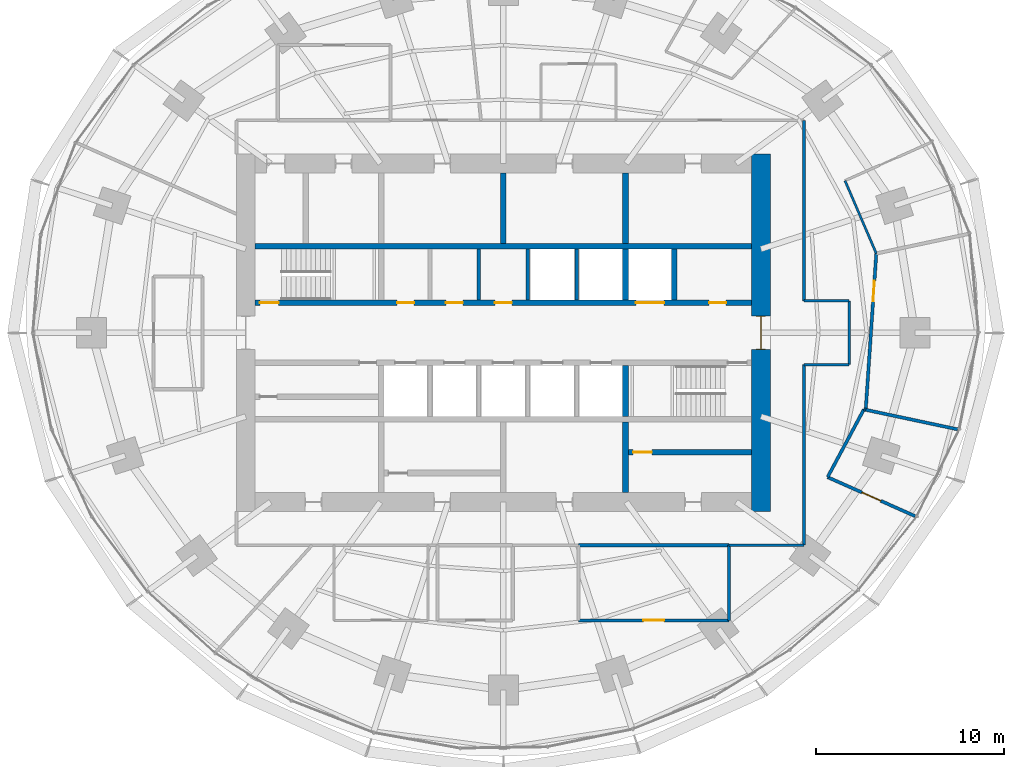
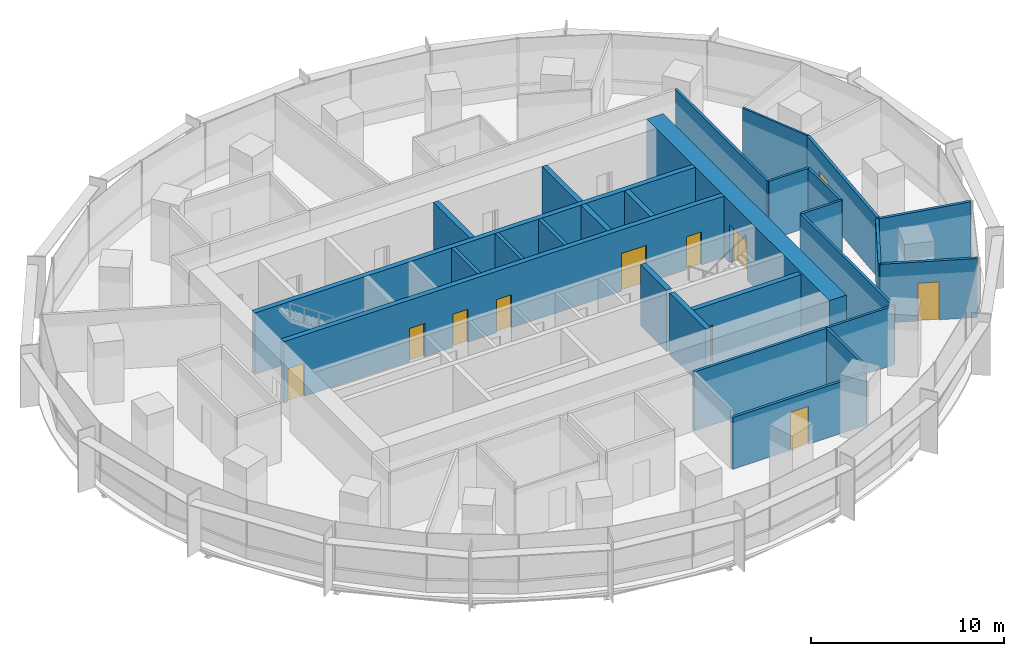
# One storey, part 11 of 14: 28 walls, 11 doors, 11 openings.
"""IFC4 building model written with IfcOpenShell, lengths in metres."""

from ifc_helpers import new_model, si_unit, direction, frame, frame_2d, origin, place, context, subcontext, project, spatial, rectangle, extrude, material, layer, layer_set, type_object, element, fill, save


model = new_model("IFC4")

# Units and contexts
model_context = context("Model", 3, precision=1e-05, world=origin(), true_north=direction((0.0, 1.0)))
body_context = subcontext(model_context, "Body", "Model", "MODEL_VIEW")
ifc_project = project(units=[si_unit("LENGTHUNIT", "METRE"), si_unit("AREAUNIT", "SQUARE_METRE"), si_unit("VOLUMEUNIT", "CUBIC_METRE"), si_unit("PLANEANGLEUNIT", "RADIAN"), si_unit("MASSUNIT", "GRAM", prefix="KILO")], contexts=[model_context])

# Site, building, storey
site_placement = place(None, origin())
site = spatial("IfcSite", under=ifc_project, at=site_placement, CompositionType="ELEMENT")
building_placement = place(site_placement, origin())
building = spatial("IfcBuilding", under=site, at=building_placement, Name="Marramba Exchange Tower", CompositionType="ELEMENT")
storey_placement = place(building_placement, frame((0.0, 0.0, 127.5)))
storey = spatial("IfcBuildingStorey", under=building, at=storey_placement, Name="L30", CompositionType="ELEMENT", Elevation=127.5)

# Wall, opening, door
ifc_material_1 = material(Name="Plasterboard on staggered double steel studs, acoustic insulation", Category="steel")
ifc_layer_1 = layer(ifc_material_1, 0.169921875)
ifc_layer_set_1 = layer_set([ifc_layer_1], Name="Acoustic partition 170")
wall_type_1 = type_object("IfcWallType", Name="Acoustic partition 170", PredefinedType="PARTITIONING", material=ifc_layer_set_1)
wall_1_placement = place(storey_placement, frame((4.0, -15.300048828125, 0.0), z_axis=(0.0, 0.0, 1.0), x_axis=(1.0, 0.0, 0.0)))
wall_1 = element("IfcWall", 1, at=wall_1_placement, inside=storey, type_object=wall_type_1, Name="Acoustic partition L30 14", PredefinedType="PARTITIONING", context=body_context, shape_type="SweptSolid", body=[
    extrude(rectangle(XDim=8.0, YDim=0.169921875, at=frame_2d((4.0, 0.0))), origin(), (0.0, 0.0, 1.0), 3.285888671875),
])
opening_1_placement = place(wall_1_placement, frame((3.449951171875, 0.0, 0.0)))
opening_1 = element("IfcOpeningElement", 2, at=opening_1_placement, cuts=wall_1, Name="Opening D15", PredefinedType="OPENING", context=body_context, shape_type="SweptSolid", body=[
    extrude(rectangle(XDim=1.10009765625, YDim=2.39990234375, at=frame_2d((0.550048828125, 1.199951171875))), frame((0.0, 0.094970703125, 0.0), z_axis=(0.0, -1.0, 0.0), x_axis=(1.0, 0.0, 0.0)), (0.0, 0.0, 1.0), 0.18994140625),
])
ifc_material_2 = material(Name="Timber door", Category="wood")
door_type_1 = type_object("IfcDoorType", Name="Glazed meeting room door 1100x2400", OperationType="SINGLE_SWING_LEFT", PredefinedType="DOOR", material=ifc_material_2)
door_1_placement = place(opening_1_placement, origin())
door_1 = element("IfcDoor", 3, at=door_1_placement, inside=storey, type_object=door_type_1, Name="D15 Meeting Room 3 L30", OperationType="SINGLE_SWING_RIGHT", OverallHeight=2.39990234375, OverallWidth=1.10009765625, PredefinedType="DOOR", context=body_context, shape_type="SweptSolid", body=[
    extrude(rectangle(XDim=1.10009765625, YDim=2.39990234375, at=frame_2d((0.550048828125, 1.199951171875))), frame((0.0, 0.02490234375, 0.0), z_axis=(0.0, -1.0, 0.0), x_axis=(1.0, 0.0, 0.0)), (0.0, 0.0, 1.0), 0.050048828125),
])
fill(opening_1, door_1)

# Walls
wall_2_placement = place(storey_placement, frame((12.0, -11.300048828125, 0.0), z_axis=(0.0, 0.0, 1.0), x_axis=(-1.0, 0.0, 0.0)))
element("IfcWall", 4, at=wall_2_placement, inside=storey, type_object=wall_type_1, Name="Acoustic partition L30 15", PredefinedType="PARTITIONING", context=body_context, shape_type="SweptSolid", body=[
    extrude(rectangle(XDim=8.0, YDim=0.169921875, at=frame_2d((4.0, 0.0))), origin(), (0.0, 0.0, 1.0), 3.739990234375),
])
wall_3_placement = place(storey_placement, frame((12.0, -15.300048828125, 0.0), z_axis=(0.0, 0.0, 1.0), x_axis=(0.0, 1.0, 0.0)))
element("IfcWall", 5, at=wall_3_placement, inside=storey, type_object=wall_type_1, Name="Acoustic partition L30 16", PredefinedType="PARTITIONING", context=body_context, shape_type="SweptSolid", body=[
    extrude(rectangle(XDim=4.0, YDim=0.169921875, at=frame_2d((2.0, 0.0))), origin(), (0.0, 0.0, 1.0), 3.739990234375),
])

# Wall, opening, door
wall_4_placement = place(storey_placement, frame((17.24951171875, -7.679931640625, 0.0), z_axis=(0.0, 0.0, 1.0), x_axis=(0.913540908219, -0.406746861095, 0.0)))
wall_4 = element("IfcWall", 6, at=wall_4_placement, inside=storey, type_object=wall_type_1, Name="Acoustic partition L30 18", PredefinedType="PARTITIONING", context=body_context, shape_type="SweptSolid", body=[
    extrude(rectangle(XDim=5.10009765625, YDim=0.169921875, at=frame_2d((2.550048828125, 0.0))), origin(), (0.0, 0.0, 1.0), 3.739990234375),
])
opening_2_placement = place(wall_4_placement, frame((2.0, 0.0, 0.0)))
opening_2 = element("IfcOpeningElement", 7, at=opening_2_placement, cuts=wall_4, Name="Opening D15", PredefinedType="OPENING", context=body_context, shape_type="SweptSolid", body=[
    extrude(rectangle(XDim=1.10009765625, YDim=2.39990234375, at=frame_2d((0.550048828125, 1.199951171875))), frame((0.0, 0.094970703125, 0.0), z_axis=(0.0, -1.0, 0.0), x_axis=(1.0, 0.0, 0.0)), (0.0, 0.0, 1.0), 0.18994140625),
])
door_2_placement = place(opening_2_placement, origin())
door_2 = element("IfcDoor", 8, at=door_2_placement, inside=storey, type_object=door_type_1, Name="D15 Meeting Room 1 L30", OperationType="SINGLE_SWING_LEFT", OverallHeight=2.39990234375, OverallWidth=1.10009765625, PredefinedType="DOOR", context=body_context, shape_type="SweptSolid", body=[
    extrude(rectangle(XDim=1.10009765625, YDim=2.39990234375, at=frame_2d((0.550048828125, 1.199951171875))), frame((0.0, 0.02490234375, 0.0), z_axis=(0.0, -1.0, 0.0), x_axis=(1.0, 0.0, 0.0)), (0.0, 0.0, 1.0), 0.050048828125),
])
fill(opening_2, door_2)

# Walls
wall_5_placement = place(storey_placement, frame((19.179443359375, -4.07666015625, 0.0), z_axis=(0.0, 0.0, 1.0), x_axis=(-0.472146825295, -0.881519923407, 0.0)))
element("IfcWall", 9, at=wall_5_placement, inside=storey, type_object=wall_type_1, Name="Acoustic partition L30 20", PredefinedType="PARTITIONING", context=body_context, shape_type="SweptSolid", body=[
    extrude(rectangle(XDim=4.087646484375, YDim=0.169921875, at=frame_2d((2.0439453125, 0.0))), origin(), (0.0, 0.0, 1.0), 3.739990234375),
])
wall_6_placement = place(storey_placement, frame((19.277099609375, -4.097412109375, 0.0), z_axis=(0.0, 0.0, 1.0), x_axis=(-0.978158850918, 0.20785875582, 0.0)))
element("IfcWall", 10, at=wall_6_placement, inside=storey, type_object=wall_type_1, Name="Acoustic partition L30 21", PredefinedType="PARTITIONING", context=body_context, shape_type="SweptSolid", body=[
    extrude(rectangle(XDim=0.099853515625, YDim=0.169921875, at=frame_2d((0.0498046875, 0.0))), origin(), (0.0, 0.0, 1.0), 3.739990234375),
])
wall_7_placement = place(storey_placement, frame((19.277099609375, -4.097412109375, 0.0), z_axis=(0.0, 0.0, 1.0), x_axis=(0.978149046495, -0.207904888932, 0.0)))
element("IfcWall", 11, at=wall_7_placement, inside=storey, type_object=wall_type_1, Name="Acoustic partition L30 22", PredefinedType="PARTITIONING", context=body_context, shape_type="SweptSolid", body=[
    extrude(rectangle(XDim=5.000244140625, YDim=0.169921875, at=frame_2d((2.5, 0.0))), origin(), (0.0, 0.0, 1.0), 3.739990234375),
])

# Wall, opening, door
wall_8_placement = place(storey_placement, frame((19.839599609375, 4.217041015625, 0.0), z_axis=(0.0, 0.0, 1.0), x_axis=(-0.067498983032, -0.997719342947, 0.0)))
wall_8 = element("IfcWall", 12, at=wall_8_placement, inside=storey, type_object=wall_type_1, Name="Acoustic partition L30 25", PredefinedType="PARTITIONING", context=body_context, shape_type="SweptSolid", body=[
    extrude(rectangle(XDim=8.33349609375, YDim=0.169921875, at=frame_2d((4.166748046875, 0.0))), origin(), (0.0, 0.0, 1.0), 3.739990234375),
])
opening_3_placement = place(wall_8_placement, frame((1.4560546875, 0.0, 0.0)))
opening_3 = element("IfcOpeningElement", 13, at=opening_3_placement, cuts=wall_8, Name="Opening D15", PredefinedType="OPENING", context=body_context, shape_type="SweptSolid", body=[
    extrude(rectangle(XDim=1.10009765625, YDim=2.39990234375, at=frame_2d((0.550048828125, 1.199951171875))), frame((0.0, 0.094970703125, 0.0), z_axis=(0.0, -1.0, 0.0), x_axis=(1.0, 0.0, 0.0)), (0.0, 0.0, 1.0), 0.18994140625),
])
door_3_placement = place(opening_3_placement, origin())
door_3 = element("IfcDoor", 14, at=door_3_placement, inside=storey, type_object=door_type_1, Name="D15 Meeting Room 2 L30", OperationType="SINGLE_SWING_LEFT", OverallHeight=2.39990234375, OverallWidth=1.10009765625, PredefinedType="DOOR", context=body_context, shape_type="SweptSolid", body=[
    extrude(rectangle(XDim=1.10009765625, YDim=2.39990234375, at=frame_2d((0.550048828125, 1.199951171875))), frame((0.0, 0.02490234375, 0.0), z_axis=(0.0, -1.0, 0.0), x_axis=(1.0, 0.0, 0.0)), (0.0, 0.0, 1.0), 0.050048828125),
])
fill(opening_3, door_3)

# Walls
ifc_material_3 = material(Name="Concrete N50", Category="concrete")
ifc_layer_2 = layer(ifc_material_3, 0.199951171875)
ifc_layer_set_2 = layer_set([ifc_layer_2], Name="Core shaft wall 200")
wall_type_2 = type_object("IfcWallType", Name="Core shaft wall 200", PredefinedType="SHEAR", material=ifc_layer_set_2)
for number, where, z_axis, x_axis, name in (
    (15, (-1.300048828125, 1.75, 0.0), (0.0, 0.0, 1.0), (0.0, 1.0, 0.0), "Core wall SHN2 L30"),
    (16, (1.300048828125, 1.75, 0.0), (0.0, 0.0, 1.0), (0.0, 1.0, 0.0), "Core wall SHN3 L30"),
    (17, (3.89990234375, 1.75, 0.0), (0.0, 0.0, 1.0), (0.0, 1.0, 0.0), "Core wall SHN4 L30"),
):
    element("IfcWall", number, at=place(storey_placement, frame(where, z_axis=z_axis, x_axis=x_axis)), inside=storey, type_object=wall_type_2, Name=name, PredefinedType="SHEAR", context=body_context, shape_type="SweptSolid", body=[
        extrude(rectangle(XDim=2.699951171875, YDim=0.199951171875, at=frame_2d((1.35009765625, 0.0))), origin(), (0.0, 0.0, 1.0), 3.89990234375),
    ])

# Wall, opening, door
ifc_layer_3 = layer(ifc_material_3, 1.0)
ifc_layer_set_3 = layer_set([ifc_layer_3], Name="Core wall 1000")
wall_type_3 = type_object("IfcWallType", Name="Core wall 1000", PredefinedType="SHEAR", material=ifc_layer_set_3)
wall_9_placement = place(storey_placement, frame((13.699951171875, -9.5, 0.0), z_axis=(0.0, 0.0, 1.0), x_axis=(0.0, 1.0, 0.0)))
wall_9 = element("IfcWall", 18, at=wall_9_placement, inside=storey, type_object=wall_type_3, Name="Core wall E L30", PredefinedType="SHEAR", context=body_context, shape_type="SweptSolid", body=[
    extrude(rectangle(XDim=19.0, YDim=1.0, at=frame_2d((9.5, 0.0))), origin(), (0.0, 0.0, 1.0), 3.89990234375),
])
opening_4_placement = place(wall_9_placement, frame((8.60009765625, 0.0, 0.0)))
opening_4 = element("IfcOpeningElement", 19, at=opening_4_placement, cuts=wall_9, Name="Opening D1", PredefinedType="OPENING", context=body_context, shape_type="SweptSolid", body=[
    extrude(rectangle(XDim=1.800048828125, YDim=2.39990234375, at=frame_2d((0.89990234375, 1.199951171875))), frame((0.0, 0.510009765625, 0.0), z_axis=(0.0, -1.0, 0.0), x_axis=(1.0, 0.0, 0.0)), (0.0, 0.0, 1.0), 1.02001953125),
])
ifc_material_4 = material(Name="Steel-framed door", Category="steel")
door_type_2 = type_object("IfcDoorType", Name="Lobby exit door 1800x2400", OperationType="DOUBLE_DOOR_SINGLE_SWING", PredefinedType="DOOR", material=ifc_material_4)
door_4_placement = place(opening_4_placement, origin())
door_4 = element("IfcDoor", 20, at=door_4_placement, inside=storey, type_object=door_type_2, Name="D1 lobby exit east L30", OperationType="DOUBLE_DOOR_SINGLE_SWING", OverallHeight=2.39990234375, OverallWidth=1.800048828125, PredefinedType="DOOR", context=body_context, shape_type="SweptSolid", body=[
    extrude(rectangle(XDim=1.719970703125, YDim=2.35986328125, at=frame_2d((0.89990234375, 1.179931640625))), frame((0.0, 0.02490234375, 0.0), z_axis=(0.0, -1.0, 0.0), x_axis=(1.0, 0.0, 0.0)), (0.0, 0.0, 1.0), 0.050048828125),
    extrude(rectangle(XDim=0.04, YDim=2.39990234375, at=frame_2d((0.02001953125, 1.199951171875))), frame((0.0, 0.25, 0.0), z_axis=(0.0, -1.0, 0.0), x_axis=(1.0, 0.0, 0.0)), (0.0, 0.0, 1.0), 0.5),
    extrude(rectangle(XDim=0.04, YDim=2.39990234375, at=frame_2d((1.780029296875, 1.199951171875))), frame((0.0, 0.25, 0.0), z_axis=(0.0, -1.0, 0.0), x_axis=(1.0, 0.0, 0.0)), (0.0, 0.0, 1.0), 0.5),
    extrude(rectangle(XDim=1.719970703125, YDim=0.04, at=frame_2d((0.89990234375, 2.3798828125))), frame((0.0, 0.25, 0.0), z_axis=(0.0, -1.0, 0.0), x_axis=(1.0, 0.0, 0.0)), (0.0, 0.0, 1.0), 0.5),
])
fill(opening_4, door_4)

# Wall, openings, doors
ifc_layer_4 = layer(ifc_material_3, 0.300048828125)
ifc_layer_set_4 = layer_set([ifc_layer_4], Name="Core wall 300")
wall_type_4 = type_object("IfcWallType", Name="Core wall 300", PredefinedType="SHEAR", material=ifc_layer_set_4)
wall_10_placement = place(storey_placement, frame((-13.199951171875, 1.60009765625, 0.0), z_axis=(0.0, 0.0, 1.0), x_axis=(1.0, 0.0, 0.0)))
wall_10 = element("IfcWall", 21, at=wall_10_placement, inside=storey, type_object=wall_type_4, Name="Core wall LN L30", PredefinedType="SHEAR", context=body_context, shape_type="SweptSolid", body=[
    extrude(rectangle(XDim=26.39990234375, YDim=0.300048828125, at=frame_2d((13.199951171875, 0.0))), origin(), (0.0, 0.0, 1.0), 3.89990234375),
])
opening_5_placement = place(wall_10_placement, frame((0.25, 0.0, 0.0)))
opening_5 = element("IfcOpeningElement", 22, at=opening_5_placement, cuts=wall_10, Name="Opening D2", PredefinedType="OPENING", context=body_context, shape_type="SweptSolid", body=[
    extrude(rectangle(XDim=1.0, YDim=2.10009765625, at=frame_2d((0.5, 1.050048828125))), frame((0.0, 0.159912109375, 0.0), z_axis=(0.0, -1.0, 0.0), x_axis=(1.0, 0.0, 0.0)), (0.0, 0.0, 1.0), 0.320068359375),
])
opening_6_placement = place(wall_10_placement, frame((20.25, 0.0, 0.0)))
opening_6 = element("IfcOpeningElement", 23, at=opening_6_placement, cuts=wall_10, Name="Opening LD3", PredefinedType="OPENING", context=body_context, shape_type="SweptSolid", body=[
    extrude(rectangle(XDim=1.5, YDim=2.39990234375, at=frame_2d((0.75, 1.199951171875))), frame((0.0, 0.159912109375, 0.0), z_axis=(0.0, -1.0, 0.0), x_axis=(1.0, 0.0, 0.0)), (0.0, 0.0, 1.0), 0.320068359375),
])
opening_7_placement = place(wall_10_placement, frame((7.550048828125, 0.0, 0.0)))
opening_7 = element("IfcOpeningElement", 24, at=opening_7_placement, cuts=wall_10, Name="Opening D5", PredefinedType="OPENING", context=body_context, shape_type="SweptSolid", body=[
    extrude(rectangle(XDim=0.89990234375, YDim=2.10009765625, at=frame_2d((0.449951171875, 1.050048828125))), frame((0.0, 0.159912109375, 0.0), z_axis=(0.0, -1.0, 0.0), x_axis=(1.0, 0.0, 0.0)), (0.0, 0.0, 1.0), 0.320068359375),
])
opening_8_placement = place(wall_10_placement, frame((10.14990234375, 0.0, 0.0)))
opening_8 = element("IfcOpeningElement", 25, at=opening_8_placement, cuts=wall_10, Name="Opening D5", PredefinedType="OPENING", context=body_context, shape_type="SweptSolid", body=[
    extrude(rectangle(XDim=0.89990234375, YDim=2.10009765625, at=frame_2d((0.449951171875, 1.050048828125))), frame((0.0, 0.159912109375, 0.0), z_axis=(0.0, -1.0, 0.0), x_axis=(1.0, 0.0, 0.0)), (0.0, 0.0, 1.0), 0.320068359375),
])
opening_9_placement = place(wall_10_placement, frame((12.75, 0.0, 0.0)))
opening_9 = element("IfcOpeningElement", 26, at=opening_9_placement, cuts=wall_10, Name="Opening D5", PredefinedType="OPENING", context=body_context, shape_type="SweptSolid", body=[
    extrude(rectangle(XDim=0.89990234375, YDim=2.10009765625, at=frame_2d((0.449951171875, 1.050048828125))), frame((0.0, 0.159912109375, 0.0), z_axis=(0.0, -1.0, 0.0), x_axis=(1.0, 0.0, 0.0)), (0.0, 0.0, 1.0), 0.320068359375),
])
opening_10_placement = place(wall_10_placement, frame((24.14990234375, 0.0, 0.0)))
opening_10 = element("IfcOpeningElement", 27, at=opening_10_placement, cuts=wall_10, Name="Opening D5", PredefinedType="OPENING", context=body_context, shape_type="SweptSolid", body=[
    extrude(rectangle(XDim=0.89990234375, YDim=2.10009765625, at=frame_2d((0.449951171875, 1.050048828125))), frame((0.0, 0.159912109375, 0.0), z_axis=(0.0, -1.0, 0.0), x_axis=(1.0, 0.0, 0.0)), (0.0, 0.0, 1.0), 0.320068359375),
])
door_type_3 = type_object("IfcDoorType", Name="Goods lift landing door 1500x2400", OperationType="SLIDING_TO_LEFT", PredefinedType="DOOR", material=ifc_material_4)
door_5_placement = place(opening_6_placement, origin())
door_5 = element("IfcDoor", 28, at=door_5_placement, inside=storey, type_object=door_type_3, Name="GL1 landing door L30", OperationType="SLIDING_TO_LEFT", OverallHeight=2.39990234375, OverallWidth=1.5, PredefinedType="DOOR", context=body_context, shape_type="SweptSolid", body=[
    extrude(rectangle(XDim=1.5, YDim=2.39990234375, at=frame_2d((0.75, 1.199951171875))), frame((0.0, 0.02490234375, 0.0), z_axis=(0.0, -1.0, 0.0), x_axis=(1.0, 0.0, 0.0)), (0.0, 0.0, 1.0), 0.050048828125),
])
fill(opening_6, door_5)
door_type_4 = type_object("IfcDoorType", Name="Service door 900x2100", OperationType="SINGLE_SWING_LEFT", PredefinedType="DOOR", material=ifc_material_4)
door_6_placement = place(opening_7_placement, origin())
door_6 = element("IfcDoor", 29, at=door_6_placement, inside=storey, type_object=door_type_4, Name="D5 switch room L30", OperationType="SINGLE_SWING_RIGHT", OverallHeight=2.10009765625, OverallWidth=0.89990234375, PredefinedType="DOOR", context=body_context, shape_type="SweptSolid", body=[
    extrude(rectangle(XDim=0.89990234375, YDim=2.10009765625, at=frame_2d((0.449951171875, 1.050048828125))), frame((0.0, 0.02490234375, 0.0), z_axis=(0.0, -1.0, 0.0), x_axis=(1.0, 0.0, 0.0)), (0.0, 0.0, 1.0), 0.050048828125),
])
fill(opening_7, door_6)
door_7_placement = place(opening_8_placement, origin())
door_7 = element("IfcDoor", 30, at=door_7_placement, inside=storey, type_object=door_type_4, Name="D5 tea point L30", OperationType="SINGLE_SWING_RIGHT", OverallHeight=2.10009765625, OverallWidth=0.89990234375, PredefinedType="DOOR", context=body_context, shape_type="SweptSolid", body=[
    extrude(rectangle(XDim=0.89990234375, YDim=2.10009765625, at=frame_2d((0.449951171875, 1.050048828125))), frame((0.0, 0.02490234375, 0.0), z_axis=(0.0, -1.0, 0.0), x_axis=(1.0, 0.0, 0.0)), (0.0, 0.0, 1.0), 0.050048828125),
])
fill(opening_8, door_7)
door_8_placement = place(opening_9_placement, origin())
door_8 = element("IfcDoor", 31, at=door_8_placement, inside=storey, type_object=door_type_4, Name="D5 general store L30", OperationType="SINGLE_SWING_RIGHT", OverallHeight=2.10009765625, OverallWidth=0.89990234375, PredefinedType="DOOR", context=body_context, shape_type="SweptSolid", body=[
    extrude(rectangle(XDim=0.89990234375, YDim=2.10009765625, at=frame_2d((0.449951171875, 1.050048828125))), frame((0.0, 0.02490234375, 0.0), z_axis=(0.0, -1.0, 0.0), x_axis=(1.0, 0.0, 0.0)), (0.0, 0.0, 1.0), 0.050048828125),
])
fill(opening_9, door_8)
door_9_placement = place(opening_10_placement, origin())
door_9 = element("IfcDoor", 32, at=door_9_placement, inside=storey, type_object=door_type_4, Name="D5 riser L30", OperationType="SINGLE_SWING_RIGHT", OverallHeight=2.10009765625, OverallWidth=0.89990234375, PredefinedType="DOOR", context=body_context, shape_type="SweptSolid", body=[
    extrude(rectangle(XDim=0.89990234375, YDim=2.10009765625, at=frame_2d((0.449951171875, 1.050048828125))), frame((0.0, 0.02490234375, 0.0), z_axis=(0.0, -1.0, 0.0), x_axis=(1.0, 0.0, 0.0)), (0.0, 0.0, 1.0), 0.050048828125),
])
fill(opening_10, door_9)
door_type_5 = type_object("IfcDoorType", Name="Stair door 1000x2100", OperationType="SINGLE_SWING_LEFT", PredefinedType="DOOR", material=ifc_material_4)
door_10_placement = place(opening_5_placement, origin())
door_10 = element("IfcDoor", 33, at=door_10_placement, inside=storey, type_object=door_type_5, Name="D2 stair ST1 L30", OperationType="SINGLE_SWING_LEFT", OverallHeight=2.10009765625, OverallWidth=1.0, PredefinedType="DOOR", context=body_context, shape_type="SweptSolid", body=[
    extrude(rectangle(XDim=1.0, YDim=2.10009765625, at=frame_2d((0.5, 1.050048828125))), frame((0.0, 0.02490234375, 0.0), z_axis=(0.0, -1.0, 0.0), x_axis=(1.0, 0.0, 0.0)), (0.0, 0.0, 1.0), 0.050048828125),
])
fill(opening_5, door_10)

# Walls
wall_11_placement = place(storey_placement, frame((-13.199951171875, 4.60009765625, 0.0), z_axis=(0.0, 0.0, 1.0), x_axis=(1.0, 0.0, 0.0)))
element("IfcWall", 34, at=wall_11_placement, inside=storey, type_object=wall_type_4, Name="Core wall BN L30", PredefinedType="SHEAR", context=body_context, shape_type="SweptSolid", body=[
    extrude(rectangle(XDim=26.39990234375, YDim=0.300048828125, at=frame_2d((13.199951171875, 0.0))), origin(), (0.0, 0.0, 1.0), 3.89990234375),
])
wall_12_placement = place(storey_placement, frame((6.5, 1.75, 0.0), z_axis=(0.0, 0.0, 1.0), x_axis=(0.0, 1.0, 0.0)))
element("IfcWall", 35, at=wall_12_placement, inside=storey, type_object=wall_type_4, Name="Core wall X1Na L30", PredefinedType="SHEAR", context=body_context, shape_type="SweptSolid", body=[
    extrude(rectangle(XDim=2.699951171875, YDim=0.300048828125, at=frame_2d((1.35009765625, 0.0))), origin(), (0.0, 0.0, 1.0), 3.89990234375),
])
for number, where, z_axis, x_axis, name in (
    (36, (6.5, 4.75, 0.0), (0.0, 0.0, 1.0), (0.0, 1.0, 0.0), "Core wall X1Nb L30"),
    (37, (0.0, 4.75, 0.0), (0.0, 0.0, 1.0), (0.0, 1.0, 0.0), "Core wall MN L30"),
):
    element("IfcWall", number, at=place(storey_placement, frame(where, z_axis=z_axis, x_axis=x_axis)), inside=storey, type_object=wall_type_4, Name=name, PredefinedType="SHEAR", context=body_context, shape_type="SweptSolid", body=[
        extrude(rectangle(XDim=3.75, YDim=0.300048828125, at=frame_2d((1.875, 0.0))), origin(), (0.0, 0.0, 1.0), 3.89990234375),
    ])
wall_13_placement = place(storey_placement, frame((6.5, -1.75, 0.0), z_axis=(0.0, 0.0, 1.0), x_axis=(0.0, -1.0, 0.0)))
element("IfcWall", 38, at=wall_13_placement, inside=storey, type_object=wall_type_4, Name="Core wall X1Sa L30", PredefinedType="SHEAR", context=body_context, shape_type="SweptSolid", body=[
    extrude(rectangle(XDim=2.699951171875, YDim=0.300048828125, at=frame_2d((1.35009765625, 0.0))), origin(), (0.0, 0.0, 1.0), 3.89990234375),
])
wall_14_placement = place(storey_placement, frame((6.5, -4.75, 0.0), z_axis=(0.0, 0.0, 1.0), x_axis=(0.0, -1.0, 0.0)))
element("IfcWall", 39, at=wall_14_placement, inside=storey, type_object=wall_type_4, Name="Core wall X1Sb L30", PredefinedType="SHEAR", context=body_context, shape_type="SweptSolid", body=[
    extrude(rectangle(XDim=3.75, YDim=0.300048828125, at=frame_2d((1.875, 0.0))), origin(), (0.0, 0.0, 1.0), 3.89990234375),
])
wall_15_placement = place(storey_placement, frame((9.10009765625, 1.75, 0.0), z_axis=(0.0, 0.0, 1.0), x_axis=(0.0, 1.0, 0.0)))
element("IfcWall", 40, at=wall_15_placement, inside=storey, type_object=wall_type_4, Name="Core wall ED L30", PredefinedType="SHEAR", context=body_context, shape_type="SweptSolid", body=[
    extrude(rectangle(XDim=2.699951171875, YDim=0.300048828125, at=frame_2d((1.35009765625, 0.0))), origin(), (0.0, 0.0, 1.0), 3.89990234375),
])
ifc_material_5 = material(Name="Plasterboard on steel studs", Category="steel")
ifc_layer_5 = layer(ifc_material_5, 0.1201171875)
ifc_layer_set_5 = layer_set([ifc_layer_5], Name="Partition 120")
wall_type_5 = type_object("IfcWallType", Name="Partition 120", PredefinedType="PARTITIONING", material=ifc_layer_set_5)
wall_16_placement = place(storey_placement, frame((18.174560546875, 8.091796875, 0.0), z_axis=(0.0, 0.0, 1.0), x_axis=(0.394806421401, -0.918764327573, 0.0)))
element("IfcWall", 41, at=wall_16_placement, inside=storey, type_object=wall_type_5, Name="Partition L30 28", PredefinedType="PARTITIONING", context=body_context, shape_type="SweptSolid", body=[
    extrude(rectangle(XDim=4.21728515625, YDim=0.1201171875, at=frame_2d((2.108642578125, 0.0))), origin(), (0.0, 0.0, 1.0), 3.739990234375),
])

# Wall, opening, door
ifc_material_6 = material(Name="Plasterboard on steel studs, insulated, unrated", Category="steel")
ifc_layer_6 = layer(ifc_material_6, 0.300048828125)
ifc_layer_set_6 = layer_set([ifc_layer_6], Name="Store partition 300")
wall_type_6 = type_object("IfcWallType", Name="Store partition 300", PredefinedType="PARTITIONING", material=ifc_layer_set_6)
wall_17_placement = place(storey_placement, frame((6.64990234375, -6.360107421875, 0.0), z_axis=(0.0, 0.0, 1.0), x_axis=(1.0, 0.0, 0.0)))
wall_17 = element("IfcWall", 42, at=wall_17_placement, inside=storey, type_object=wall_type_6, Name="Store partition L30 cstore", PredefinedType="PARTITIONING", context=body_context, shape_type="SweptSolid", body=[
    extrude(rectangle(XDim=6.550048828125, YDim=0.300048828125, at=frame_2d((3.27490234375, 0.0))), origin(), (0.0, 0.0, 1.0), 3.739990234375),
])
opening_11_placement = place(wall_17_placement, frame((0.25, 0.0, 0.0)))
opening_11 = element("IfcOpeningElement", 43, at=opening_11_placement, cuts=wall_17, Name="Opening D9", PredefinedType="OPENING", context=body_context, shape_type="SweptSolid", body=[
    extrude(rectangle(XDim=1.0, YDim=2.39990234375, at=frame_2d((0.5, 1.199951171875))), frame((0.0, 0.159912109375, 0.0), z_axis=(0.0, -1.0, 0.0), x_axis=(1.0, 0.0, 0.0)), (0.0, 0.0, 1.0), 0.320068359375),
])
door_type_6 = type_object("IfcDoorType", Name="Room door 1000x2400", OperationType="SINGLE_SWING_LEFT", PredefinedType="DOOR", material=ifc_material_2)
door_11_placement = place(opening_11_placement, origin())
door_11 = element("IfcDoor", 44, at=door_11_placement, inside=storey, type_object=door_type_6, Name="D9 general store L30", OperationType="SINGLE_SWING_LEFT", OverallHeight=2.39990234375, OverallWidth=1.0, PredefinedType="DOOR", context=body_context, shape_type="SweptSolid", body=[
    extrude(rectangle(XDim=1.0, YDim=2.39990234375, at=frame_2d((0.5, 1.199951171875))), frame((0.0, 0.02490234375, 0.0), z_axis=(0.0, -1.0, 0.0), x_axis=(1.0, 0.0, 0.0)), (0.0, 0.0, 1.0), 0.050048828125),
])
fill(opening_11, door_11)

# Walls
ifc_material_7 = material(Name="Fire-rated plasterboard on steel studs, acoustic insulation", Category="steel")
ifc_layer_7 = layer(ifc_material_7, 0.14990234375)
ifc_layer_set_7 = layer_set([ifc_layer_7], Name="Tenancy wall 150")
wall_type_7 = type_object("IfcWallType", Name="Tenancy wall 150", PredefinedType="PARTITIONING", material=ifc_layer_set_7)
wall_18_placement = place(storey_placement, frame((12.0, -11.300048828125, 0.0), z_axis=(0.0, 0.0, 1.0), x_axis=(1.0, 0.0, 0.0)))
element("IfcWall", 45, at=wall_18_placement, inside=storey, type_object=wall_type_7, Name="Tenancy wall L30 17", PredefinedType="PARTITIONING", context=body_context, shape_type="SweptSolid", body=[
    extrude(rectangle(XDim=4.0, YDim=0.14990234375, at=frame_2d((2.0, 0.0))), origin(), (0.0, 0.0, 1.0), 3.739990234375),
])
wall_19_placement = place(storey_placement, frame((16.0, -11.300048828125, 0.0), z_axis=(0.0, 0.0, 1.0), x_axis=(0.0, 1.0, 0.0)))
element("IfcWall", 46, at=wall_19_placement, inside=storey, type_object=wall_type_7, Name="Tenancy wall L30 19", PredefinedType="PARTITIONING", context=body_context, shape_type="SweptSolid", body=[
    extrude(rectangle(XDim=9.60009765625, YDim=0.14990234375, at=frame_2d((4.800048828125, 0.0))), origin(), (0.0, 0.0, 1.0), 3.739990234375),
])
wall_20_placement = place(storey_placement, frame((16.0, -1.699951171875, 0.0), z_axis=(0.0, 0.0, 1.0), x_axis=(1.0, 0.0, 0.0)))
element("IfcWall", 47, at=wall_20_placement, inside=storey, type_object=wall_type_7, Name="Tenancy wall L30 23", PredefinedType="PARTITIONING", context=body_context, shape_type="SweptSolid", body=[
    extrude(rectangle(XDim=2.39990234375, YDim=0.14990234375, at=frame_2d((1.199951171875, 0.0))), origin(), (0.0, 0.0, 1.0), 3.739990234375),
])
wall_21_placement = place(storey_placement, frame((18.39990234375, -1.699951171875, 0.0), z_axis=(0.0, 0.0, 1.0), x_axis=(0.0, 1.0, 0.0)))
element("IfcWall", 48, at=wall_21_placement, inside=storey, type_object=wall_type_7, Name="Tenancy wall L30 24", PredefinedType="PARTITIONING", context=body_context, shape_type="SweptSolid", body=[
    extrude(rectangle(XDim=3.39990234375, YDim=0.14990234375, at=frame_2d((1.699951171875, 0.0))), origin(), (0.0, 0.0, 1.0), 3.739990234375),
])
wall_22_placement = place(storey_placement, frame((18.39990234375, 1.699951171875, 0.0), z_axis=(0.0, 0.0, 1.0), x_axis=(-1.0, 0.0, 0.0)))
element("IfcWall", 49, at=wall_22_placement, inside=storey, type_object=wall_type_7, Name="Tenancy wall L30 26", PredefinedType="PARTITIONING", context=body_context, shape_type="SweptSolid", body=[
    extrude(rectangle(XDim=2.39990234375, YDim=0.14990234375, at=frame_2d((1.199951171875, 0.0))), origin(), (0.0, 0.0, 1.0), 3.739990234375),
])
wall_23_placement = place(storey_placement, frame((16.0, 1.699951171875, 0.0), z_axis=(0.0, 0.0, 1.0), x_axis=(0.0, 1.0, 0.0)))
element("IfcWall", 50, at=wall_23_placement, inside=storey, type_object=wall_type_7, Name="Tenancy wall L30 29", PredefinedType="PARTITIONING", context=body_context, shape_type="SweptSolid", body=[
    extrude(rectangle(XDim=9.60009765625, YDim=0.14990234375, at=frame_2d((4.800048828125, 0.0))), origin(), (0.0, 0.0, 1.0), 3.739990234375),
])

save(model, "model.ifc")
